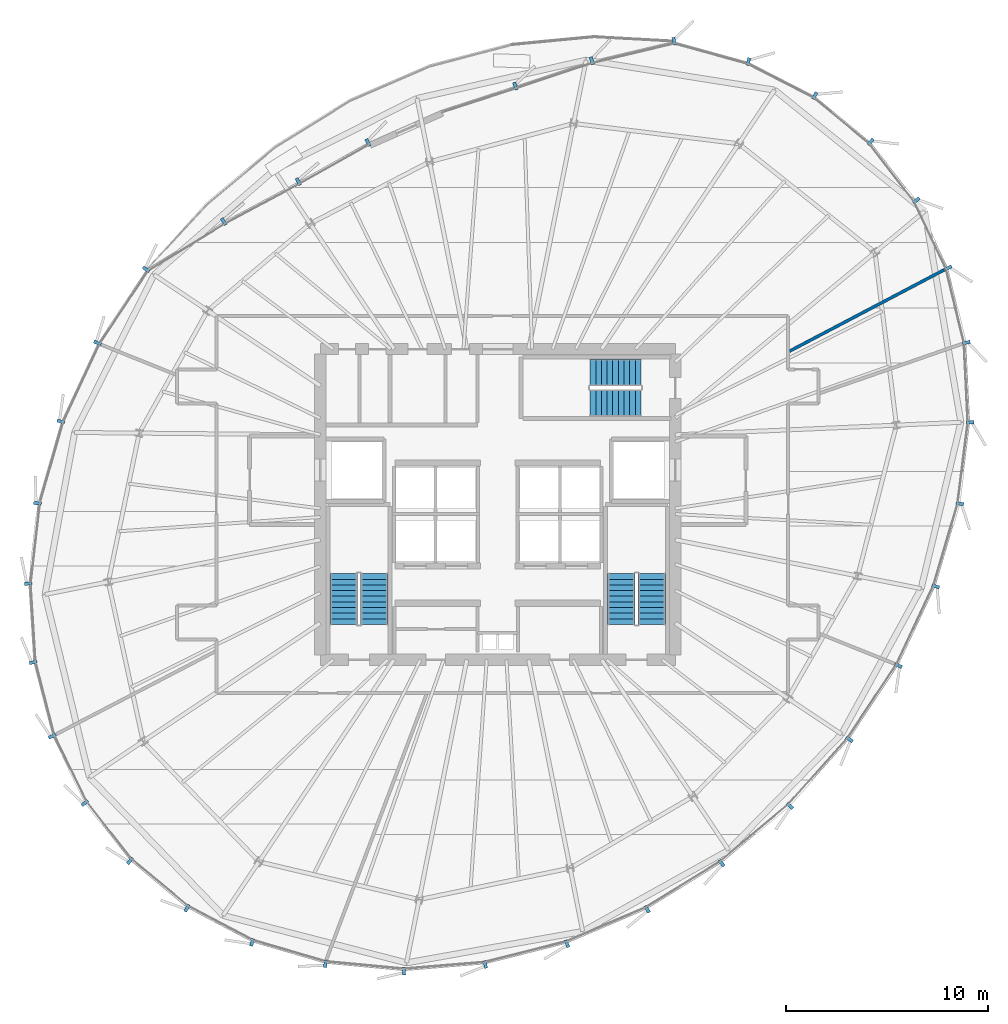
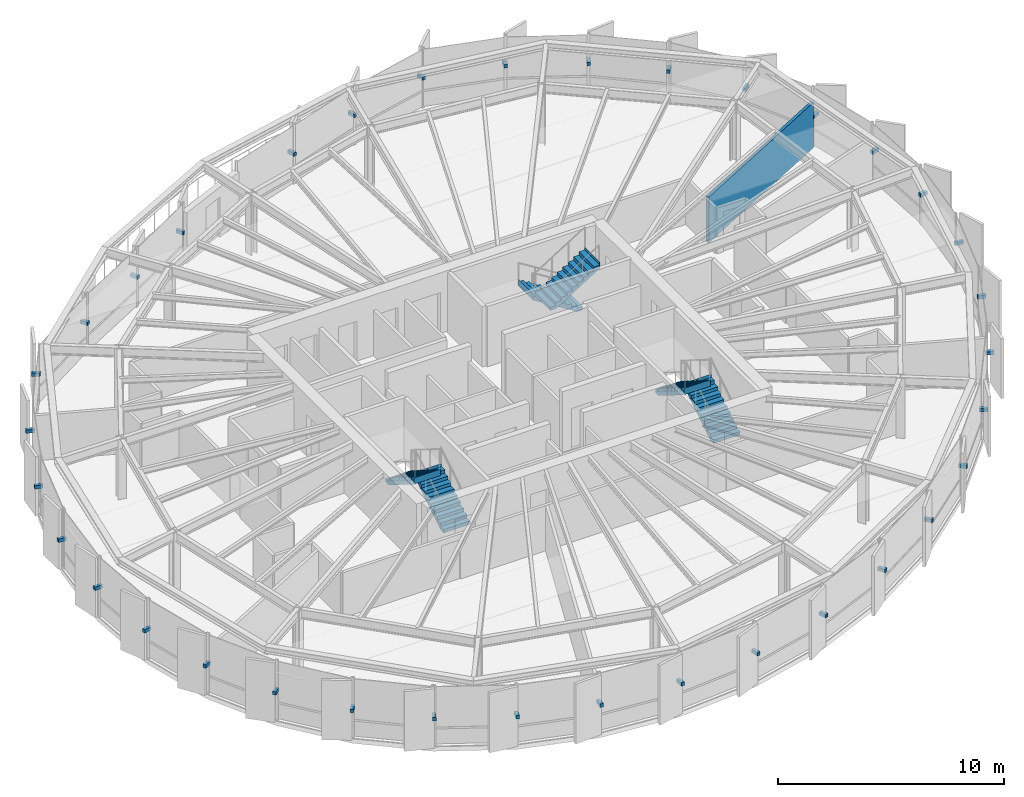
# One storey, part 30 of 33: 35 discrete accessories, 6 stair flights, 1 wall, 3 elements without a shape of their own.
"""IFC4 building model written with IfcOpenShell, lengths in metres."""

from ifc_helpers import new_model, si_unit, direction, frame, frame_2d, origin, origin_2d, place, context, subcontext, project, spatial, polyline, rectangle, outline, extrude, source, transform, mapped, material, layer, layer_set, type_object, element, aggregate, save


model = new_model("IFC4")

# Units and contexts
model_context = context("Model", 3, precision=1e-05, world=origin(), true_north=direction((0.0, 1.0)))
body_context = subcontext(model_context, "Body", "Model", "MODEL_VIEW")
ifc_project = project(units=[si_unit("LENGTHUNIT", "METRE"), si_unit("AREAUNIT", "SQUARE_METRE"), si_unit("VOLUMEUNIT", "CUBIC_METRE"), si_unit("PLANEANGLEUNIT", "RADIAN"), si_unit("MASSUNIT", "GRAM", prefix="KILO"), si_unit("THERMODYNAMICTEMPERATUREUNIT", "KELVIN")], contexts=[model_context])

# Site, building, storey
site_placement = place(None, origin())
site = spatial("IfcSite", under=ifc_project, at=site_placement, CompositionType="ELEMENT")
building_placement = place(site_placement, origin())
building = spatial("IfcBuilding", under=site, at=building_placement, Name="Kethvar Cultural Tower", CompositionType="ELEMENT")
storey_placement = place(building_placement, frame((0.0, 0.0, 211.39990234375)))
storey = spatial("IfcBuildingStorey", under=building, at=storey_placement, Name="L55", CompositionType="ELEMENT", Elevation=211.39990234375)

# Wall
ifc_material_1 = material(Name="Gypsum Acoustic Partition")
ifc_layer = layer(ifc_material_1, 0.14990234375, Name="Gypsum Acoustic Partition")
ifc_layer_set = layer_set([ifc_layer], Name="Gypsum Acoustic Partition (150 mm)")
wall_type = type_object("IfcWallType", Name="WL-PART-150", PredefinedType="PARTITIONING", material=ifc_layer_set)
wall_placement = place(storey_placement, frame((61.270751953125, 35.400146484375, 0.0), z_axis=(0.0, 0.0, 1.0), x_axis=(0.885089383212, 0.465421082168, 0.0)))
element("IfcWall", 1, at=wall_placement, inside=storey, type_object=wall_type, Name="L55 Radial Partition Wall 05", PredefinedType="PARTITIONING", context=body_context, shape_type="SweptSolid", body=[
    extrude(rectangle(XDim=8.660400390625, YDim=0.14990234375, at=frame_2d((4.330078125, 0.0))), origin(), (0.0, 0.0, 1.0), 2.455078125),
])

# Stair, stair flights
ifc_material_2 = material(Name="Concrete C40/50", Category="concrete")
stair_type = type_object("IfcStairType", Name="ST-DOGLEG-135", PredefinedType="HALF_TURN_STAIR", material=ifc_material_2)
stair_1_placement = place(storey_placement, origin())
stair_1 = element("IfcStair", 2, at=stair_1_placement, inside=storey, type_object=stair_type, Name="L55 Core Exit Stair 1", PredefinedType="HALF_TURN_STAIR")
stair_flight_type = type_object("IfcStairFlightType", Name="FL-STRAIGHT-135", PredefinedType="STRAIGHT", material=ifc_material_2)
stair_flight_1_placement = place(storey_placement, frame((40.675048828125, 21.85009765625, 0.0), z_axis=(0.0, 0.0, 1.0), x_axis=(0.0, 1.0, 0.0)))
stair_flight_1 = element("IfcStairFlight", 3, at=stair_flight_1_placement, type_object=stair_flight_type, Name="ST-01 flight 1", NumberOfRisers=10, NumberOfTreads=9, PredefinedType="STRAIGHT", RiserHeight=0.175, TreadLength=0.28, context=body_context, shape_type="SweptSolid", body=[
    extrude(outline(polyline([(-0.0009765625, -0.0009765625), (-0.0009765625, 0.175048828125), (0.280029296875, 0.175048828125), (0.280029296875, 0.35009765625), (0.56005859375, 0.35009765625), (0.56005859375, 0.52490234375), (0.840087890625, 0.52490234375), (0.840087890625, 0.699951171875), (1.1201171875, 0.699951171875), (1.1201171875, 0.875), (1.39990234375, 0.875), (1.39990234375, 1.050048828125), (1.679931640625, 1.050048828125), (1.679931640625, 1.22509765625), (1.9599609375, 1.22509765625), (1.9599609375, 1.39990234375), (2.239990234375, 1.39990234375), (2.239990234375, 1.574951171875), (2.52001953125, 1.574951171875), (2.52001953125, 1.75), (2.52099609375, 1.75), (2.52099609375, 1.398193359375), (0.28271484375, 0.0), (0.0, -0.0009765625), (-0.0009765625, -0.0009765625)])), frame((0.0, 0.675048828125, 0.0), z_axis=(0.0, -1.0, 0.0), x_axis=(1.0, 0.0, 0.0)), (0.0, 0.0, 1.0), 1.35009765625),
])
stair_flight_2_placement = place(storey_placement, frame((39.1650390625, 24.3701171875, 1.75), z_axis=(0.0, 0.0, 1.0), x_axis=(0.0, -1.0, 0.0)))
stair_flight_2 = element("IfcStairFlight", 4, at=stair_flight_2_placement, type_object=stair_flight_type, Name="ST-01 flight 2", NumberOfRisers=10, NumberOfTreads=9, PredefinedType="STRAIGHT", RiserHeight=0.175, TreadLength=0.28, context=body_context, shape_type="SweptSolid", body=[
    extrude(outline(polyline([(-0.0009765625, -0.0009765625), (-0.0009765625, 0.175048828125), (0.280029296875, 0.175048828125), (0.280029296875, 0.35009765625), (0.56005859375, 0.35009765625), (0.56005859375, 0.52490234375), (0.840087890625, 0.52490234375), (0.840087890625, 0.699951171875), (1.1201171875, 0.699951171875), (1.1201171875, 0.875), (1.39990234375, 0.875), (1.39990234375, 1.050048828125), (1.679931640625, 1.050048828125), (1.679931640625, 1.22509765625), (1.9599609375, 1.22509765625), (1.9599609375, 1.39990234375), (2.239990234375, 1.39990234375), (2.239990234375, 1.574951171875), (2.52001953125, 1.574951171875), (2.52001953125, 1.75), (2.52099609375, 1.75), (2.52099609375, 1.398193359375), (0.28271484375, 0.0), (0.0, -0.0009765625), (-0.0009765625, -0.0009765625)])), frame((0.0, 0.675048828125, 0.0), z_axis=(0.0, -1.0, 0.0), x_axis=(1.0, 0.0, 0.0)), (0.0, 0.0, 1.0), 1.35009765625),
])
aggregate(stair_1, [stair_flight_1, stair_flight_2])

stair_2_placement = place(storey_placement, origin())
stair_2 = element("IfcStair", 5, at=stair_2_placement, inside=storey, type_object=stair_type, Name="L55 Core Exit Stair 2", PredefinedType="HALF_TURN_STAIR")
stair_flight_3_placement = place(storey_placement, frame((54.43505859375, 21.85009765625, 0.0), z_axis=(0.0, 0.0, 1.0), x_axis=(0.0, 1.0, 0.0)))
stair_flight_3 = element("IfcStairFlight", 6, at=stair_flight_3_placement, type_object=stair_flight_type, Name="ST-02 flight 1", NumberOfRisers=10, NumberOfTreads=9, PredefinedType="STRAIGHT", RiserHeight=0.175, TreadLength=0.28, context=body_context, shape_type="SweptSolid", body=[
    extrude(outline(polyline([(-0.0009765625, -0.0009765625), (-0.0009765625, 0.175048828125), (0.280029296875, 0.175048828125), (0.280029296875, 0.35009765625), (0.56005859375, 0.35009765625), (0.56005859375, 0.52490234375), (0.840087890625, 0.52490234375), (0.840087890625, 0.699951171875), (1.1201171875, 0.699951171875), (1.1201171875, 0.875), (1.39990234375, 0.875), (1.39990234375, 1.050048828125), (1.679931640625, 1.050048828125), (1.679931640625, 1.22509765625), (1.9599609375, 1.22509765625), (1.9599609375, 1.39990234375), (2.239990234375, 1.39990234375), (2.239990234375, 1.574951171875), (2.52001953125, 1.574951171875), (2.52001953125, 1.75), (2.52099609375, 1.75), (2.52099609375, 1.398193359375), (0.28271484375, 0.0), (0.0, -0.0009765625), (-0.0009765625, -0.0009765625)])), frame((0.0, 0.675048828125, 0.0), z_axis=(0.0, -1.0, 0.0), x_axis=(1.0, 0.0, 0.0)), (0.0, 0.0, 1.0), 1.35009765625),
])
stair_flight_4_placement = place(storey_placement, frame((52.925048828125, 24.3701171875, 1.75), z_axis=(0.0, 0.0, 1.0), x_axis=(0.0, -1.0, 0.0)))
stair_flight_4 = element("IfcStairFlight", 7, at=stair_flight_4_placement, type_object=stair_flight_type, Name="ST-02 flight 2", NumberOfRisers=10, NumberOfTreads=9, PredefinedType="STRAIGHT", RiserHeight=0.175, TreadLength=0.28, context=body_context, shape_type="SweptSolid", body=[
    extrude(outline(polyline([(-0.0009765625, -0.0009765625), (-0.0009765625, 0.175048828125), (0.280029296875, 0.175048828125), (0.280029296875, 0.35009765625), (0.56005859375, 0.35009765625), (0.56005859375, 0.52490234375), (0.840087890625, 0.52490234375), (0.840087890625, 0.699951171875), (1.1201171875, 0.699951171875), (1.1201171875, 0.875), (1.39990234375, 0.875), (1.39990234375, 1.050048828125), (1.679931640625, 1.050048828125), (1.679931640625, 1.22509765625), (1.9599609375, 1.22509765625), (1.9599609375, 1.39990234375), (2.239990234375, 1.39990234375), (2.239990234375, 1.574951171875), (2.52001953125, 1.574951171875), (2.52001953125, 1.75), (2.52099609375, 1.75), (2.52099609375, 1.398193359375), (0.28271484375, 0.0), (0.0, -0.0009765625), (-0.0009765625, -0.0009765625)])), frame((0.0, 0.675048828125, 0.0), z_axis=(0.0, -1.0, 0.0), x_axis=(1.0, 0.0, 0.0)), (0.0, 0.0, 1.0), 1.35009765625),
])
aggregate(stair_2, [stair_flight_3, stair_flight_4])

stair_3_placement = place(storey_placement, origin())
stair_3 = element("IfcStair", 8, at=stair_3_placement, inside=storey, type_object=stair_type, Name="L55 Core Exit Stair 3", PredefinedType="HALF_TURN_STAIR")
stair_flight_5_placement = place(storey_placement, frame((53.89990234375, 34.3349609375, 0.0), z_axis=(0.0, 0.0, 1.0), x_axis=(-1.0, 0.0, 0.0)))
stair_flight_5 = element("IfcStairFlight", 9, at=stair_flight_5_placement, type_object=stair_flight_type, Name="ST-03 flight 1", NumberOfRisers=10, NumberOfTreads=9, PredefinedType="STRAIGHT", RiserHeight=0.175, TreadLength=0.28, context=body_context, shape_type="SweptSolid", body=[
    extrude(outline(polyline([(-0.0009765625, -0.0009765625), (-0.0009765625, 0.175048828125), (0.280029296875, 0.175048828125), (0.280029296875, 0.35009765625), (0.56005859375, 0.35009765625), (0.56005859375, 0.52490234375), (0.840087890625, 0.52490234375), (0.840087890625, 0.699951171875), (1.1201171875, 0.699951171875), (1.1201171875, 0.875), (1.39990234375, 0.875), (1.39990234375, 1.050048828125), (1.679931640625, 1.050048828125), (1.679931640625, 1.22509765625), (1.9599609375, 1.22509765625), (1.9599609375, 1.39990234375), (2.239990234375, 1.39990234375), (2.239990234375, 1.574951171875), (2.52001953125, 1.574951171875), (2.52001953125, 1.75), (2.52099609375, 1.75), (2.52099609375, 1.398193359375), (0.28271484375, 0.0), (0.0, -0.0009765625), (-0.0009765625, -0.0009765625)])), frame((0.0, 0.675048828125, 0.0), z_axis=(0.0, -1.0, 0.0), x_axis=(1.0, 0.0, 0.0)), (0.0, 0.0, 1.0), 1.35009765625),
])
stair_flight_6_placement = place(storey_placement, frame((51.3798828125, 32.824951171875, 1.75), z_axis=(0.0, 0.0, 1.0), x_axis=(1.0, 0.0, 0.0)))
stair_flight_6 = element("IfcStairFlight", 10, at=stair_flight_6_placement, type_object=stair_flight_type, Name="ST-03 flight 2", NumberOfRisers=10, NumberOfTreads=9, PredefinedType="STRAIGHT", RiserHeight=0.175, TreadLength=0.28, context=body_context, shape_type="SweptSolid", body=[
    extrude(outline(polyline([(-0.0009765625, -0.0009765625), (-0.0009765625, 0.175048828125), (0.280029296875, 0.175048828125), (0.280029296875, 0.35009765625), (0.56005859375, 0.35009765625), (0.56005859375, 0.52490234375), (0.840087890625, 0.52490234375), (0.840087890625, 0.699951171875), (1.1201171875, 0.699951171875), (1.1201171875, 0.875), (1.39990234375, 0.875), (1.39990234375, 1.050048828125), (1.679931640625, 1.050048828125), (1.679931640625, 1.22509765625), (1.9599609375, 1.22509765625), (1.9599609375, 1.39990234375), (2.239990234375, 1.39990234375), (2.239990234375, 1.574951171875), (2.52001953125, 1.574951171875), (2.52001953125, 1.75), (2.52099609375, 1.75), (2.52099609375, 1.398193359375), (0.28271484375, 0.0), (0.0, -0.0009765625), (-0.0009765625, -0.0009765625)])), frame((0.0, 0.675048828125, 0.0), z_axis=(0.0, -1.0, 0.0), x_axis=(1.0, 0.0, 0.0)), (0.0, 0.0, 1.0), 1.35009765625),
])
aggregate(stair_3, [stair_flight_5, stair_flight_6])

# Discrete accessories
ifc_material_3 = material(Name="Steel S355J2", Category="steel")
discrete_accessory_type = type_object("IfcDiscreteAccessoryType", Name="Steel Fin Bracket BRK-01", PredefinedType="BRACKET", material=ifc_material_3)
shared_shape = source(origin(), body_context, "Body", "SweptSolid", [
    extrude(rectangle(XDim=0.3798828125, YDim=0.159912109375, at=origin_2d()), origin(), (0.0, 0.0, 1.0), 0.179931640625),
])
for number, where, z_axis, x_axis, name in (
    (11, (65.288818359375, 45.7724609375, 1.5400390625), (0.0, 0.0, 1.0), (0.6370204626, 0.770846891561, 0.0), "L55 Terracotta Fin Bracket 1.1"),
    (12, (62.51513671875, 48.064208984375, 1.5400390625), (0.0, 0.0, 1.0), (0.456632167098, 0.889655587276, 0.0), "L55 Terracotta Fin Bracket 1.2"),
    (13, (59.222900390625, 49.75439453125, 1.5400390625), (0.0, 0.0, 1.0), (0.266229118282, 0.963909776161, 0.0), "L55 Terracotta Fin Bracket 1.3"),
    (14, (55.54248046875, 50.76953125, 1.5400390625), (0.0, 0.0, 1.0), (-0.231408326543, 0.972856714222, 0.0), "L55 Terracotta Fin Bracket 1.4"),
    (15, (51.46630859375, 49.7998046875, 1.5400390625), (0.0, 0.0, 1.0), (-0.314323848843, 0.949315815758, 0.0), "L55 Terracotta Fin Bracket 1.5"),
    (16, (47.67041015625, 48.54296875, 1.5400390625), (0.0, 0.0, 1.0), (-0.308850998993, 0.951110435449, 0.0), "L55 Terracotta Fin Bracket 1.6"),
    (17, (40.368408203125, 45.74365234375, 1.5400390625), (0.0, 0.0, 1.0), (-0.490143289315, 0.871641873673, 0.0), "L55 Terracotta Fin Bracket 2.1"),
    (18, (36.917236328125, 43.802490234375, 1.5400390625), (0.0, 0.0, 1.0), (-0.471935383883, 0.881633139939, 0.0), "L55 Terracotta Fin Bracket 2.2"),
    (19, (33.2158203125, 41.82080078125, 1.5400390625), (0.0, 0.0, 1.0), (-0.524134552382, 0.851635468378, 0.0), "L55 Terracotta Fin Bracket 2.3"),
    (20, (29.368408203125, 39.452392578125, 1.5400390625), (0.0, 0.0, 1.0), (-0.83378947819, 0.552082517437, 0.0), "L55 Terracotta Fin Bracket 2.4"),
    (21, (26.952392578125, 35.80322265625, 1.5400390625), (0.0, 0.0, 1.0), (-0.906455253421, 0.422301874901, 0.0), "L55 Terracotta Fin Bracket 2.5"),
    (22, (25.13916015625, 31.910888671875, 1.5400390625), (0.0, 0.0, 1.0), (-0.961069030524, 0.276308375854, 0.0), "L55 Terracotta Fin Bracket 2.6"),
    (23, (23.9794921875, 27.85498046875, 1.5400390625), (0.0, 0.0, 1.0), (-0.993452764783, 0.114243617521, 0.0), "L55 Terracotta Fin Bracket 3.1"),
    (24, (23.522216796875, 23.87353515625, 1.5400390625), (0.0, 0.0, 1.0), (-0.998026728428, -0.062790519529, 0.0), "L55 Terracotta Fin Bracket 3.2"),
    (25, (23.767578125, 19.972412109375, 1.5400390625), (0.0, 0.0, 1.0), (-0.968278606324, -0.249873048837, 0.0), "L55 Terracotta Fin Bracket 3.3"),
    (26, (24.712890625, 16.30908203125, 1.5400390625), (0.0, 0.0, 1.0), (-0.898794046299, -0.438371146789, 0.0), "L55 Terracotta Fin Bracket 3.4"),
    (27, (26.32958984375, 12.9951171875, 1.5400390625), (0.0, 0.0, 1.0), (-0.787903288407, -0.61579899977, 0.0), "L55 Terracotta Fin Bracket 3.5"),
    (28, (28.568359375, 10.130859375, 1.5400390625), (0.0, 0.0, 1.0), (-0.640243780506, -0.768171791674, 0.0), "L55 Terracotta Fin Bracket 3.6"),
    (29, (31.3955078125, 7.785400390625, 1.5400390625), (0.0, 0.0, 1.0), (-0.46638664034, -0.884580975215, 0.0), "L55 Terracotta Fin Bracket 4.1"),
    (30, (34.623046875, 6.083984375, 1.5400390625), (0.0, 0.0, 1.0), (-0.280164117595, -0.959952117146, 0.0), "L55 Terracotta Fin Bracket 4.2"),
    (31, (38.2548828125, 5.0244140625, 1.5400390625), (0.0, 0.0, 1.0), (-0.094108313319, -0.995561964603, 0.0), "L55 Terracotta Fin Bracket 4.3"),
    (32, (42.14599609375, 4.656982421875, 1.5400390625), (0.0, 0.0, 1.0), (0.082982139742, -0.996551034561, 0.0), "L55 Terracotta Fin Bracket 4.4"),
    (33, (46.1787109375, 4.99267578125, 1.5400390625), (0.0, 0.0, 1.0), (0.245984126575, -0.969273856799, 0.0), "L55 Terracotta Fin Bracket 4.5"),
    (34, (50.22998046875, 6.021240234375, 1.5400390625), (0.0, 0.0, 1.0), (0.393621046838, -0.919272794923, 0.0), "L55 Terracotta Fin Bracket 4.6"),
    (35, (54.21044921875, 7.73193359375, 1.5400390625), (0.0, 0.0, 1.0), (0.52562013762, -0.850719384362, 0.0), "L55 Terracotta Fin Bracket 5.1"),
    (36, (57.900146484375, 10.011962890625, 1.5400390625), (0.0, 0.0, 1.0), (0.642787609687, -0.766044443119, 0.0), "L55 Terracotta Fin Bracket 5.2"),
    (37, (61.285888671875, 12.852783203125, 1.5400390625), (0.0, 0.0, 1.0), (0.745475999683, -0.666532470249, 0.0), "L55 Terracotta Fin Bracket 5.3"),
    (38, (64.235107421875, 16.151123046875, 1.5400390625), (0.0, 0.0, 1.0), (0.833210881659, -0.552955356864, 0.0), "L55 Terracotta Fin Bracket 5.4"),
    (39, (66.66748046875, 19.81591796875, 1.5400390625), (0.0, 0.0, 1.0), (0.90490135119, -0.425621362969, 0.0), "L55 Terracotta Fin Bracket 5.5"),
    (40, (68.51171875, 23.73828125, 1.5400390625), (0.0, 0.0, 1.0), (0.959017781309, -0.283345893093, 0.0), "L55 Terracotta Fin Bracket 5.6"),
    (41, (69.716064453125, 27.837158203125, 1.5400390625), (0.0, 0.0, 1.0), (0.992114701314, -0.125333233564, 0.0), "L55 Terracotta Fin Bracket 6.1"),
    (42, (70.225341796875, 31.869384765625, 1.5400390625), (0.0, 0.0, 1.0), (0.998814648022, 0.048675444496, 0.0), "L55 Terracotta Fin Bracket 6.2"),
    (43, (70.032958984375, 35.82177734375, 1.5400390625), (0.0, 0.0, 1.0), (0.971796603568, 0.235820612531, 0.0), "L55 Terracotta Fin Bracket 6.3"),
    (44, (69.1328125, 39.52880859375, 1.5400390625), (0.0, 0.0, 1.0), (0.903559758936, 0.428462089374, 0.0), "L55 Terracotta Fin Bracket 6.4"),
    (45, (67.546875, 42.872802734375, 1.5400390625), (0.0, 0.0, 1.0), (0.790475821431, 0.612493245459, 0.0), "L55 Terracotta Fin Bracket 6.5"),
):
    element("IfcDiscreteAccessory", number, at=place(storey_placement, frame(where, z_axis=z_axis, x_axis=x_axis)), inside=storey, type_object=discrete_accessory_type, Name=name, PredefinedType="BRACKET", context=body_context, shape_type="MappedRepresentation", body=[
        mapped(shared_shape, transform((0.0, 0.0, 0.0), scale=1.0)),
    ])

save(model, "model.ifc")
